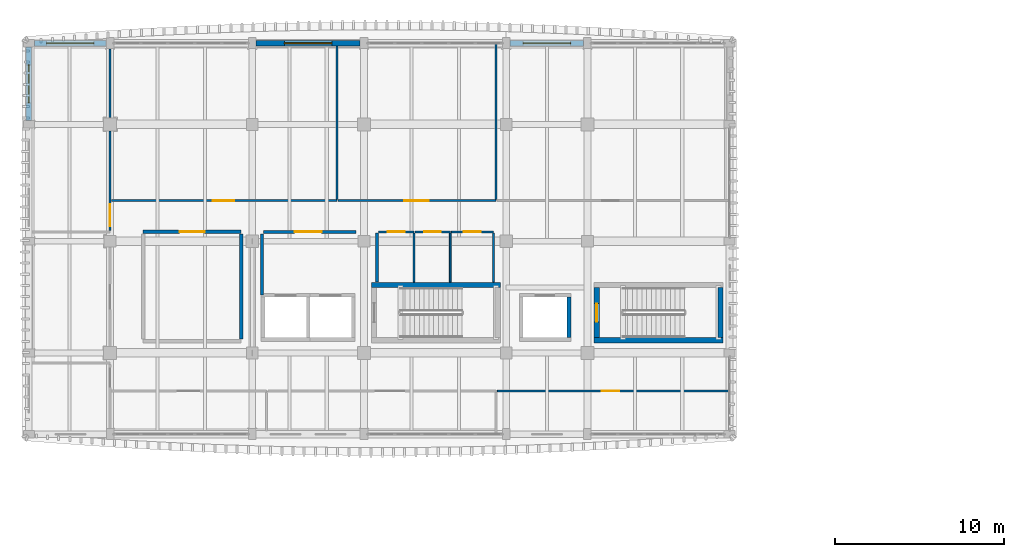
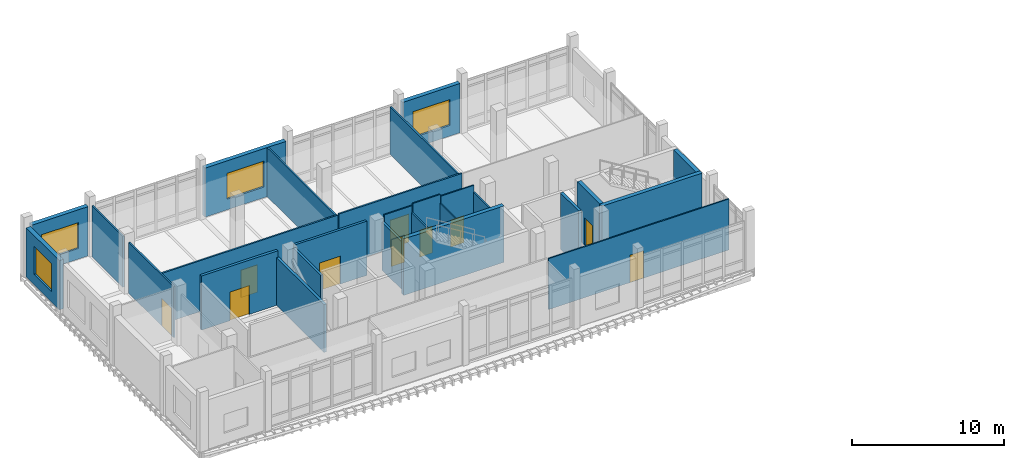
# One storey, part 21 of 37: 27 walls, 10 doors, 4 windows, 14 openings.
"""IFC4 building model written with IfcOpenShell, lengths in metres."""

from ifc_helpers import new_model, si_unit, direction, frame, frame_2d, origin, place, context, subcontext, project, spatial, rectangle, extrude, material, layer, layer_set, type_object, element, fill, save


model = new_model("IFC4")

# Units and contexts
model_context = context("Model", 3, precision=1e-05, world=origin(), true_north=direction((0.0, 1.0)))
body_context = subcontext(model_context, "Body", "Model", "MODEL_VIEW")
ifc_project = project(units=[si_unit("LENGTHUNIT", "METRE"), si_unit("AREAUNIT", "SQUARE_METRE"), si_unit("VOLUMEUNIT", "CUBIC_METRE"), si_unit("PLANEANGLEUNIT", "RADIAN"), si_unit("MASSUNIT", "GRAM", prefix="KILO")], contexts=[model_context])

# Site, building, storey
site_placement = place(None, origin())
site = spatial("IfcSite", under=ifc_project, at=site_placement, CompositionType="ELEMENT")
building_placement = place(site_placement, origin())
building = spatial("IfcBuilding", under=site, at=building_placement, Name="Dornvale Research Institute", CompositionType="ELEMENT")
storey_placement = place(building_placement, frame((0.0, 0.0, 29.39990234375)))
storey = spatial("IfcBuildingStorey", under=building, at=storey_placement, Name="L06", CompositionType="ELEMENT", Elevation=29.39990234375)

# Wall, opening, door
ifc_material_1 = material(Name="Acoustic Insulated Double-Stud Laboratory Partition")
ifc_layer_1 = layer(ifc_material_1, 0.1201171875)
ifc_layer_set_1 = layer_set([ifc_layer_1], Name="Acoustic Insulated Double-Stud Laboratory Partition")
wall_type_1 = type_object("IfcWallType", Name="Partition_Dry_120", PredefinedType="PARTITIONING", material=ifc_layer_set_1)
wall_1_placement = place(storey_placement, frame((4.800048828125, 111.02490234375, 0.0), z_axis=(0.0, 0.0, 1.0), x_axis=(0.0, 1.0, 0.0)))
wall_1 = element("IfcWall", 1, at=wall_1_placement, inside=storey, type_object=wall_type_1, Name="L06 V5 interior partition #505", PredefinedType="PARTITIONING", context=body_context, shape_type="SweptSolid", body=[
    extrude(rectangle(XDim=5.880126953125, YDim=0.1201171875, at=frame_2d((2.93994140625, 0.0))), origin(), (0.0, 0.0, 1.0), 4.080078125),
])
opening_1_placement = place(wall_1_placement, frame((0.25, 0.0, 0.0)))
opening_1 = element("IfcOpeningElement", 2, at=opening_1_placement, cuts=wall_1, Name="Opening ID-09", PredefinedType="OPENING", context=body_context, shape_type="SweptSolid", body=[
    extrude(rectangle(XDim=1.320068359375, YDim=2.199951171875, at=frame_2d((0.66015625, 1.10009765625))), frame((0.0, 0.074951171875, 0.0), z_axis=(0.0, -1.0, 0.0), x_axis=(1.0, 0.0, 0.0)), (0.0, 0.0, 1.0), 0.150146484375),
])
ifc_material_2 = material(Name="Phenolic-Faced Solid-Core Laboratory Door Assembly")
door_type_1 = type_object("IfcDoorType", Name="Door_DryLab_1320x2200", OperationType="SINGLE_SWING_LEFT", PredefinedType="DOOR", material=ifc_material_2)
door_1_placement = place(opening_1_placement, origin())
door_1 = element("IfcDoor", 3, at=door_1_placement, inside=storey, type_object=door_type_1, Name="L06 Ecological Informatics Laboratory West Alcove door #207", OperationType="SINGLE_SWING_RIGHT", OverallHeight=2.199951171875, OverallWidth=1.320068359375, PredefinedType="DOOR", context=body_context, shape_type="SweptSolid", body=[
    extrude(rectangle(XDim=1.320068359375, YDim=2.199951171875, at=frame_2d((0.66015625, 1.10009765625))), frame((0.0, 0.02490234375, 0.0), z_axis=(0.0, -1.0, 0.0), x_axis=(1.0, 0.0, 0.0)), (0.0, 0.0, 1.0), 0.050048828125),
])
fill(opening_1, door_1)

# Wall
wall_2_placement = place(storey_placement, frame((4.800048828125, 117.695068359375, 0.0), z_axis=(0.0, 0.0, 1.0), x_axis=(0.0, 1.0, 0.0)))
element("IfcWall", 4, at=wall_2_placement, inside=storey, type_object=wall_type_1, Name="L06 V5 interior partition #506", PredefinedType="PARTITIONING", context=body_context, shape_type="SweptSolid", body=[
    extrude(rectangle(XDim=4.059814453125, YDim=0.1201171875, at=frame_2d((2.02978515625, 0.0))), origin(), (0.0, 0.0, 1.0), 4.080078125),
])

# Wall, opening, door
wall_3_placement = place(storey_placement, frame((4.875, 112.800048828125, 0.0), z_axis=(0.0, 0.0, 1.0), x_axis=(1.0, 0.0, 0.0)))
wall_3 = element("IfcWall", 5, at=wall_3_placement, inside=storey, type_object=wall_type_1, Name="L06 V5 interior partition #507", PredefinedType="PARTITIONING", context=body_context, shape_type="SweptSolid", body=[
    extrude(rectangle(XDim=13.324951171875, YDim=0.1201171875, at=frame_2d((6.66259765625, 0.0))), origin(), (0.0, 0.0, 1.0), 4.080078125),
])
opening_2_placement = place(wall_3_placement, frame((5.9951171875, 0.0, 0.0)))
opening_2 = element("IfcOpeningElement", 6, at=opening_2_placement, cuts=wall_3, Name="Opening ID-10", PredefinedType="OPENING", context=body_context, shape_type="SweptSolid", body=[
    extrude(rectangle(XDim=1.260009765625, YDim=2.199951171875, at=frame_2d((0.6298828125, 1.10009765625))), frame((0.0, 0.074951171875, 0.0), z_axis=(0.0, -1.0, 0.0), x_axis=(1.0, 0.0, 0.0)), (0.0, 0.0, 1.0), 0.150146484375),
])
ifc_material_3 = material(Name="Phenolic-Faced Solid-Core Laboratory Door Assembly")
door_type_2 = type_object("IfcDoorType", Name="Door_DryLab_1260x2200", OperationType="SINGLE_SWING_LEFT", PredefinedType="DOOR", material=ifc_material_3)
door_2_placement = place(opening_2_placement, origin())
door_2 = element("IfcDoor", 7, at=door_2_placement, inside=storey, type_object=door_type_2, Name="L06 Ecological Informatics Laboratory door #208", OperationType="SINGLE_SWING_LEFT", OverallHeight=2.199951171875, OverallWidth=1.260009765625, PredefinedType="DOOR", context=body_context, shape_type="SweptSolid", body=[
    extrude(rectangle(XDim=1.260009765625, YDim=2.199951171875, at=frame_2d((0.6298828125, 1.10009765625))), frame((0.0, 0.02490234375, 0.0), z_axis=(0.0, -1.0, 0.0), x_axis=(1.0, 0.0, 0.0)), (0.0, 0.0, 1.0), 0.050048828125),
])
fill(opening_2, door_2)

# Wall
wall_4_placement = place(storey_placement, frame((18.199951171875, 112.875, 0.0), z_axis=(0.0, 0.0, 1.0), x_axis=(0.0, 1.0, 0.0)))
element("IfcWall", 8, at=wall_4_placement, inside=storey, type_object=wall_type_1, Name="L06 V5 interior partition #508", PredefinedType="PARTITIONING", context=body_context, shape_type="SweptSolid", body=[
    extrude(rectangle(XDim=9.050048828125, YDim=0.1201171875, at=frame_2d((4.52490234375, 0.0))), origin(), (0.0, 0.0, 1.0), 3.93017578125),
])

# Wall, opening, door
wall_5_placement = place(storey_placement, frame((18.27490234375, 112.800048828125, 0.0), z_axis=(0.0, 0.0, 1.0), x_axis=(1.0, 0.0, 0.0)))
wall_5 = element("IfcWall", 9, at=wall_5_placement, inside=storey, type_object=wall_type_1, Name="L06 V5 interior partition #509", PredefinedType="PARTITIONING", context=body_context, shape_type="SweptSolid", body=[
    extrude(rectangle(XDim=9.3251953125, YDim=0.1201171875, at=frame_2d((4.66259765625, 0.0))), origin(), (0.0, 0.0, 1.0), 4.130126953125),
])
opening_3_placement = place(wall_5_placement, frame((3.905029296875, 0.0, 0.0)))
opening_3 = element("IfcOpeningElement", 10, at=opening_3_placement, cuts=wall_5, Name="Opening ID-07", PredefinedType="OPENING", context=body_context, shape_type="SweptSolid", body=[
    extrude(rectangle(XDim=1.43994140625, YDim=2.25, at=frame_2d((0.719970703125, 1.125))), frame((0.0, 0.074951171875, 0.0), z_axis=(0.0, -1.0, 0.0), x_axis=(1.0, 0.0, 0.0)), (0.0, 0.0, 1.0), 0.150146484375),
])
ifc_material_4 = material(Name="Insulated Fire-Rated Hollow Metal Door Assembly")
door_type_3 = type_object("IfcDoorType", Name="Door_DryLab_1440x2250", OperationType="SINGLE_SWING_LEFT", PredefinedType="DOOR", material=ifc_material_4)
door_3_placement = place(opening_3_placement, origin())
door_3 = element("IfcDoor", 11, at=door_3_placement, inside=storey, type_object=door_type_3, Name="L06 Quantum Chemistry Simulation Lab door #209", OperationType="SINGLE_SWING_RIGHT", OverallHeight=2.25, OverallWidth=1.43994140625, PredefinedType="DOOR", context=body_context, shape_type="SweptSolid", body=[
    extrude(rectangle(XDim=1.43994140625, YDim=2.25, at=frame_2d((0.719970703125, 1.125))), frame((0.0, 0.02490234375, 0.0), z_axis=(0.0, -1.0, 0.0), x_axis=(1.0, 0.0, 0.0)), (0.0, 0.0, 1.0), 0.050048828125),
])
fill(opening_3, door_3)

# Wall
wall_6_placement = place(storey_placement, frame((27.60009765625, 112.875, 0.0), z_axis=(0.0, 0.0, 1.0), x_axis=(0.0, 1.0, 0.0)))
element("IfcWall", 12, at=wall_6_placement, inside=storey, type_object=wall_type_1, Name="L06 V5 interior partition #510", PredefinedType="PARTITIONING", context=body_context, shape_type="SweptSolid", body=[
    extrude(rectangle(XDim=9.18505859375, YDim=0.1201171875, at=frame_2d((4.592529296875, 0.0))), origin(), (0.0, 0.0, 1.0), 3.830078125),
])

# Wall, opening, door
ifc_material_5 = material(Name="Fire-Rated Gypsum Board on Cold-Formed Steel Studs", Category="steel")
ifc_layer_2 = layer(ifc_material_5, 0.179931640625)
ifc_layer_set_2 = layer_set([ifc_layer_2], Name="Fire-Rated Gypsum Board on Cold-Formed Steel Studs")
wall_type_2 = type_object("IfcWallType", Name="Partition_FireLobby_180", PredefinedType="PARTITIONING", material=ifc_layer_set_2)
wall_7_placement = place(storey_placement, frame((13.85009765625, 110.949951171875, 0.0), z_axis=(0.0, 0.0, 1.0), x_axis=(1.0, 0.0, 0.0)))
wall_7 = element("IfcWall", 13, at=wall_7_placement, inside=storey, type_object=wall_type_2, Name="L06 Fire Service Access Elevator Lobby north rated partition", PredefinedType="PARTITIONING", context=body_context, shape_type="SweptSolid", body=[
    extrude(rectangle(XDim=5.469970703125, YDim=0.179931640625, at=frame_2d((2.73486328125, 0.0))), origin(), (0.0, 0.0, 1.0), 4.34521484375),
])
opening_4_placement = place(wall_7_placement, frame((1.85009765625, 0.0, 0.0)))
opening_4 = element("IfcOpeningElement", 14, at=opening_4_placement, cuts=wall_7, Name="Opening FD-01", PredefinedType="OPENING", context=body_context, shape_type="SweptSolid", body=[
    extrude(rectangle(XDim=1.60009765625, YDim=2.25, at=frame_2d((0.800048828125, 1.125))), frame((0.0, 0.10498046875, 0.0), z_axis=(0.0, -1.0, 0.0), x_axis=(1.0, 0.0, 0.0)), (0.0, 0.0, 1.0), 0.2099609375),
])
ifc_material_6 = material(Name="Insulated Fire-Rated Hollow Metal Door Assembly")
door_type_4 = type_object("IfcDoorType", Name="Door_FireLobby_1600x2250", OperationType="SINGLE_SWING_LEFT", PredefinedType="DOOR", material=ifc_material_6)
door_4_placement = place(opening_4_placement, origin())
door_4 = element("IfcDoor", 15, at=door_4_placement, inside=storey, type_object=door_type_4, Name="L06 Fire Service Access Elevator Lobby door", OperationType="DOUBLE_DOOR_SINGLE_SWING", OverallHeight=2.25, OverallWidth=1.60009765625, PredefinedType="DOOR", context=body_context, shape_type="SweptSolid", body=[
    extrude(rectangle(XDim=1.60009765625, YDim=2.25, at=frame_2d((0.800048828125, 1.125))), frame((0.0, 0.02490234375, 0.0), z_axis=(0.0, -1.0, 0.0), x_axis=(1.0, 0.0, 0.0)), (0.0, 0.0, 1.0), 0.050048828125),
])
fill(opening_4, door_4)

# Walls
wall_8_placement = place(storey_placement, frame((13.780029296875, 107.22998046875, 0.0), z_axis=(0.0, 0.0, 1.0), x_axis=(0.0, 1.0, 0.0)))
element("IfcWall", 16, at=wall_8_placement, inside=storey, type_object=wall_type_2, Name="L06 Fire Service Access Elevator Lobby west rated partition", PredefinedType="PARTITIONING", context=body_context, shape_type="SweptSolid", body=[
    extrude(rectangle(XDim=3.610107421875, YDim=0.179931640625, at=frame_2d((1.80517578125, 0.0))), origin(), (0.0, 0.0, 1.0), 4.18017578125),
])
wall_9_placement = place(storey_placement, frame((20.56005859375, 107.97998046875, 0.0), z_axis=(0.0, 0.0, 1.0), x_axis=(0.0, 1.0, 0.0)))
element("IfcWall", 17, at=wall_9_placement, inside=storey, type_object=wall_type_2, Name="L06 Fire Service Access Elevator Lobby east rated partition", PredefinedType="PARTITIONING", context=body_context, shape_type="SweptSolid", body=[
    extrude(rectangle(XDim=2.909912109375, YDim=0.179931640625, at=frame_2d((1.455078125, 0.0))), origin(), (0.0, 0.0, 1.0), 3.830078125),
])

# Wall, opening, door
ifc_material_7 = material(Name="Fire-Rated Gypsum Board on Cold-Formed Steel Studs", Category="steel")
ifc_layer_3 = layer(ifc_material_7, 0.199951171875)
ifc_layer_set_3 = layer_set([ifc_layer_3], Name="Fire-Rated Gypsum Board on Cold-Formed Steel Studs")
wall_type_3 = type_object("IfcWallType", Name="Partition_FireWall_200", PredefinedType="PARTITIONING", material=ifc_layer_set_3)
wall_10_placement = place(storey_placement, frame((6.75, 110.949951171875, 0.0), z_axis=(0.0, 0.0, 1.0), x_axis=(1.0, 0.0, 0.0)))
wall_10 = element("IfcWall", 18, at=wall_10_placement, inside=storey, type_object=wall_type_3, Name="L06 V5 interior partition #499", PredefinedType="PARTITIONING", context=body_context, shape_type="SweptSolid", body=[
    extrude(rectangle(XDim=5.800048828125, YDim=0.199951171875, at=frame_2d((2.89990234375, 0.0))), origin(), (0.0, 0.0, 1.0), 4.34521484375),
])
opening_5_placement = place(wall_10_placement, frame((2.159912109375, 0.0, 0.0)))
opening_5 = element("IfcOpeningElement", 19, at=opening_5_placement, cuts=wall_10, Name="Opening ID-13", PredefinedType="OPENING", context=body_context, shape_type="SweptSolid", body=[
    extrude(rectangle(XDim=1.47998046875, YDim=2.300048828125, at=frame_2d((0.739990234375, 1.14990234375))), frame((0.0, 0.114990234375, 0.0), z_axis=(0.0, -1.0, 0.0), x_axis=(1.0, 0.0, 0.0)), (0.0, 0.0, 1.0), 0.22998046875),
])
ifc_material_8 = material(Name="Insulated Fire-Rated Hollow Metal Door Assembly")
door_type_5 = type_object("IfcDoorType", Name="Door_Archive_1480x2300", OperationType="SINGLE_SWING_LEFT", PredefinedType="DOOR", material=ifc_material_8)
door_5_placement = place(opening_5_placement, origin())
door_5 = element("IfcDoor", 20, at=door_5_placement, inside=storey, type_object=door_type_5, Name="L06 Ecological Reference Herbarium L06 door #205", OperationType="SINGLE_SWING_RIGHT", OverallHeight=2.300048828125, OverallWidth=1.47998046875, PredefinedType="DOOR", context=body_context, shape_type="SweptSolid", body=[
    extrude(rectangle(XDim=1.47998046875, YDim=2.300048828125, at=frame_2d((0.739990234375, 1.14990234375))), frame((0.0, 0.02490234375, 0.0), z_axis=(0.0, -1.0, 0.0), x_axis=(1.0, 0.0, 0.0)), (0.0, 0.0, 1.0), 0.050048828125),
])
fill(opening_5, door_5)

# Wall
wall_11_placement = place(storey_placement, frame((12.550048828125, 104.614990234375, 0.0), z_axis=(0.0, 0.0, 1.0), x_axis=(0.0, 1.0, 0.0)))
element("IfcWall", 21, at=wall_11_placement, inside=storey, type_object=wall_type_3, Name="L06 V5 interior partition #501", PredefinedType="PARTITIONING", context=body_context, shape_type="SweptSolid", body=[
    extrude(rectangle(XDim=6.219970703125, YDim=0.199951171875, at=frame_2d((3.10986328125, 0.0))), origin(), (0.0, 0.0, 1.0), 3.830078125),
])

# Wall, opening, door
ifc_material_9 = material(Name="Acoustic Insulated Double-Stud Laboratory Partition")
ifc_layer_4 = layer(ifc_material_9, 0.10009765625)
ifc_layer_set_4 = layer_set([ifc_layer_4], Name="Acoustic Insulated Double-Stud Laboratory Partition")
wall_type_4 = type_object("IfcWallType", Name="Partition_Office_100", PredefinedType="PARTITIONING", material=ifc_layer_set_4)
wall_12_placement = place(storey_placement, frame((20.6650390625, 110.949951171875, 0.0), z_axis=(0.0, 0.0, 1.0), x_axis=(1.0, 0.0, 0.0)))
wall_12 = element("IfcWall", 22, at=wall_12_placement, inside=storey, type_object=wall_type_4, Name="L06 V5 interior partition #492", PredefinedType="PARTITIONING", context=body_context, shape_type="SweptSolid", body=[
    extrude(rectangle(XDim=2.0849609375, YDim=0.10009765625, at=frame_2d((1.04248046875, 0.0))), origin(), (0.0, 0.0, 1.0), 4.34521484375),
])
opening_6_placement = place(wall_12_placement, frame((0.534912109375, 0.0, 0.0)))
opening_6 = element("IfcOpeningElement", 23, at=opening_6_placement, cuts=wall_12, Name="Opening ID-24", PredefinedType="OPENING", context=body_context, shape_type="SweptSolid", body=[
    extrude(rectangle(XDim=1.0, YDim=2.14990234375, at=frame_2d((0.5, 1.074951171875))), frame((0.0, 0.06494140625, 0.0), z_axis=(0.0, -1.0, 0.0), x_axis=(1.0, 0.0, 0.0)), (0.0, 0.0, 1.0), 0.130126953125),
])
ifc_material_10 = material(Name="Phenolic-Faced Solid-Core Laboratory Door Assembly")
door_type_6 = type_object("IfcDoorType", Name="Door_AccWC_1000x2150", OperationType="SINGLE_SWING_LEFT", PredefinedType="DOOR", material=ifc_material_10)
door_6_placement = place(opening_6_placement, origin())
door_6 = element("IfcDoor", 24, at=door_6_placement, inside=storey, type_object=door_type_6, Name="L06 Male Restroom L06 door #202", OperationType="SINGLE_SWING_LEFT", OverallHeight=2.14990234375, OverallWidth=1.0, PredefinedType="DOOR", context=body_context, shape_type="SweptSolid", body=[
    extrude(rectangle(XDim=1.0, YDim=2.14990234375, at=frame_2d((0.5, 1.074951171875))), frame((0.0, 0.02490234375, 0.0), z_axis=(0.0, -1.0, 0.0), x_axis=(1.0, 0.0, 0.0)), (0.0, 0.0, 1.0), 0.050048828125),
])
fill(opening_6, door_6)

# Wall
wall_13_placement = place(storey_placement, frame((22.75, 107.97998046875, 0.0), z_axis=(0.0, 0.0, 1.0), x_axis=(0.0, 1.0, 0.0)))
element("IfcWall", 25, at=wall_13_placement, inside=storey, type_object=wall_type_4, Name="L06 V5 interior partition #493", PredefinedType="PARTITIONING", context=body_context, shape_type="SweptSolid", body=[
    extrude(rectangle(XDim=2.905029296875, YDim=0.10009765625, at=frame_2d((1.45263671875, 0.0))), origin(), (0.0, 0.0, 1.0), 3.830078125),
])

# Wall, opening, door
wall_14_placement = place(storey_placement, frame((22.81494140625, 110.949951171875, 0.0), z_axis=(0.0, 0.0, 1.0), x_axis=(1.0, 0.0, 0.0)))
wall_14 = element("IfcWall", 26, at=wall_14_placement, inside=storey, type_object=wall_type_4, Name="L06 V5 interior partition #494", PredefinedType="PARTITIONING", context=body_context, shape_type="SweptSolid", body=[
    extrude(rectangle(XDim=2.0849609375, YDim=0.10009765625, at=frame_2d((1.04248046875, 0.0))), origin(), (0.0, 0.0, 1.0), 4.5),
])
opening_7_placement = place(wall_14_placement, frame((0.56005859375, 0.0, 0.0)))
opening_7 = element("IfcOpeningElement", 27, at=opening_7_placement, cuts=wall_14, Name="Opening ID-23", PredefinedType="OPENING", context=body_context, shape_type="SweptSolid", body=[
    extrude(rectangle(XDim=0.949951171875, YDim=2.14990234375, at=frame_2d((0.47509765625, 1.074951171875))), frame((0.0, 0.06494140625, 0.0), z_axis=(0.0, -1.0, 0.0), x_axis=(1.0, 0.0, 0.0)), (0.0, 0.0, 1.0), 0.130126953125),
])
ifc_material_11 = material(Name="Phenolic-Faced Solid-Core Laboratory Door Assembly")
door_type_7 = type_object("IfcDoorType", Name="Door_WC_950x2150", OperationType="SINGLE_SWING_LEFT", PredefinedType="DOOR", material=ifc_material_11)
door_7_placement = place(opening_7_placement, origin())
door_7 = element("IfcDoor", 28, at=door_7_placement, inside=storey, type_object=door_type_7, Name="L06 Female Restroom L06 door #203", OperationType="SINGLE_SWING_RIGHT", OverallHeight=2.14990234375, OverallWidth=0.949951171875, PredefinedType="DOOR", context=body_context, shape_type="SweptSolid", body=[
    extrude(rectangle(XDim=0.949951171875, YDim=2.14990234375, at=frame_2d((0.47509765625, 1.074951171875))), frame((0.0, 0.02490234375, 0.0), z_axis=(0.0, -1.0, 0.0), x_axis=(1.0, 0.0, 0.0)), (0.0, 0.0, 1.0), 0.050048828125),
])
fill(opening_7, door_7)

# Wall
wall_15_placement = place(storey_placement, frame((24.89990234375, 107.97998046875, 0.0), z_axis=(0.0, 0.0, 1.0), x_axis=(0.0, 1.0, 0.0)))
element("IfcWall", 29, at=wall_15_placement, inside=storey, type_object=wall_type_4, Name="L06 V5 interior partition #495", PredefinedType="PARTITIONING", context=body_context, shape_type="SweptSolid", body=[
    extrude(rectangle(XDim=2.905029296875, YDim=0.10009765625, at=frame_2d((1.45263671875, 0.0))), origin(), (0.0, 0.0, 1.0), 3.830078125),
])

# Wall, opening, door
wall_16_placement = place(storey_placement, frame((24.965087890625, 110.949951171875, 0.0), z_axis=(0.0, 0.0, 1.0), x_axis=(1.0, 0.0, 0.0)))
wall_16 = element("IfcWall", 30, at=wall_16_placement, inside=storey, type_object=wall_type_4, Name="L06 V5 interior partition #496", PredefinedType="PARTITIONING", context=body_context, shape_type="SweptSolid", body=[
    extrude(rectangle(XDim=2.48486328125, YDim=0.10009765625, at=frame_2d((1.242431640625, 0.0))), origin(), (0.0, 0.0, 1.0), 4.34521484375),
])
opening_8_placement = place(wall_16_placement, frame((0.735107421875, 0.0, 0.0)))
opening_8 = element("IfcOpeningElement", 31, at=opening_8_placement, cuts=wall_16, Name="Opening ID-24", PredefinedType="OPENING", context=body_context, shape_type="SweptSolid", body=[
    extrude(rectangle(XDim=1.0, YDim=2.14990234375, at=frame_2d((0.5, 1.074951171875))), frame((0.0, 0.06494140625, 0.0), z_axis=(0.0, -1.0, 0.0), x_axis=(1.0, 0.0, 0.0)), (0.0, 0.0, 1.0), 0.130126953125),
])
door_8_placement = place(opening_8_placement, origin())
door_8 = element("IfcDoor", 32, at=door_8_placement, inside=storey, type_object=door_type_6, Name="L06 Accessible Restroom L06 door #204", OperationType="SINGLE_SWING_LEFT", OverallHeight=2.14990234375, OverallWidth=1.0, PredefinedType="DOOR", context=body_context, shape_type="SweptSolid", body=[
    extrude(rectangle(XDim=1.0, YDim=2.14990234375, at=frame_2d((0.5, 1.074951171875))), frame((0.0, 0.02490234375, 0.0), z_axis=(0.0, -1.0, 0.0), x_axis=(1.0, 0.0, 0.0)), (0.0, 0.0, 1.0), 0.050048828125),
])
fill(opening_8, door_8)

# Wall
wall_17_placement = place(storey_placement, frame((27.449951171875, 107.97998046875, 0.0), z_axis=(0.0, 0.0, 1.0), x_axis=(0.0, 1.0, 0.0)))
element("IfcWall", 33, at=wall_17_placement, inside=storey, type_object=wall_type_4, Name="L06 V5 interior partition #497", PredefinedType="PARTITIONING", context=body_context, shape_type="SweptSolid", body=[
    extrude(rectangle(XDim=2.905029296875, YDim=0.10009765625, at=frame_2d((1.45263671875, 0.0))), origin(), (0.0, 0.0, 1.0), 3.830078125),
])

# Wall, opening, door
wall_18_placement = place(storey_placement, frame((27.675048828125, 101.550048828125, 0.0), z_axis=(0.0, 0.0, 1.0), x_axis=(1.0, 0.0, 0.0)))
wall_18 = element("IfcWall", 34, at=wall_18_placement, inside=storey, type_object=wall_type_4, Name="L06 V5 interior partition #517", PredefinedType="PARTITIONING", context=body_context, shape_type="SweptSolid", body=[
    extrude(rectangle(XDim=13.68505859375, YDim=0.10009765625, at=frame_2d((6.842529296875, 0.0))), origin(), (0.0, 0.0, 1.0), 4.080078125),
])
opening_9_placement = place(wall_18_placement, frame((6.175048828125, 0.0, 0.0)))
opening_9 = element("IfcOpeningElement", 35, at=opening_9_placement, cuts=wall_18, Name="Opening ID-20", PredefinedType="OPENING", context=body_context, shape_type="SweptSolid", body=[
    extrude(rectangle(XDim=1.02001953125, YDim=2.199951171875, at=frame_2d((0.510009765625, 1.10009765625))), frame((0.0, 0.06494140625, 0.0), z_axis=(0.0, -1.0, 0.0), x_axis=(1.0, 0.0, 0.0)), (0.0, 0.0, 1.0), 0.130126953125),
])
ifc_material_12 = material(Name="Phenolic-Faced Solid-Core Laboratory Door Assembly")
door_type_8 = type_object("IfcDoorType", Name="Door_WriteUp_1020x2200", OperationType="SINGLE_SWING_LEFT", PredefinedType="DOOR", material=ifc_material_12)
door_9_placement = place(opening_9_placement, origin())
door_9 = element("IfcDoor", 36, at=door_9_placement, inside=storey, type_object=door_type_8, Name="L06 Researcher Write-Up Studio L06 door #214", OperationType="SINGLE_SWING_LEFT", OverallHeight=2.199951171875, OverallWidth=1.02001953125, PredefinedType="DOOR", context=body_context, shape_type="SweptSolid", body=[
    extrude(rectangle(XDim=1.02001953125, YDim=2.199951171875, at=frame_2d((0.510009765625, 1.10009765625))), frame((0.0, 0.02490234375, 0.0), z_axis=(0.0, -1.0, 0.0), x_axis=(1.0, 0.0, 0.0)), (0.0, 0.0, 1.0), 0.050048828125),
])
fill(opening_9, door_9)

# Walls
ifc_material_13 = material(Name="Concrete f'c 50 MPa (C40/50)", Category="concrete")
ifc_layer_5 = layer(ifc_material_13, 0.300048828125)
ifc_layer_set_5 = layer_set([ifc_layer_5], Name="Concrete f'c 50 MPa (C40/50)")
wall_type_5 = type_object("IfcWallType", Name="ShearWall_Core_300", PredefinedType="SHEAR", material=ifc_layer_set_5)
for number, where, z_axis, x_axis, name in (
    (37, (20.25, 107.81005859375, 0.0), (0.0, 0.0, 1.0), (1.0, 0.0, 0.0), "L06 ST-1 shaft shear wall north"),
    (38, (33.39990234375, 104.550048828125, 0.0), (0.0, 0.0, 1.0), (1.0, 0.0, 0.0), "L06 ST-2 shaft shear wall south"),
):
    element("IfcWall", number, at=place(storey_placement, frame(where, z_axis=z_axis, x_axis=x_axis)), inside=storey, type_object=wall_type_5, Name=name, PredefinedType="SHEAR", context=body_context, shape_type="SweptSolid", body=[
        extrude(rectangle(XDim=7.60009765625, YDim=0.300048828125, at=frame_2d((3.800048828125, 0.0))), origin(), (0.0, 0.0, 1.0), 4.52001953125),
    ])

# Wall, opening, door
wall_19_placement = place(storey_placement, frame((33.550048828125, 104.699951171875, 0.0), z_axis=(0.0, 0.0, 1.0), x_axis=(0.0, 1.0, 0.0)))
wall_19 = element("IfcWall", 39, at=wall_19_placement, inside=storey, type_object=wall_type_5, Name="L06 ST-2 shaft shear wall west", PredefinedType="SHEAR", context=body_context, shape_type="SweptSolid", body=[
    extrude(rectangle(XDim=2.9599609375, YDim=0.300048828125, at=frame_2d((1.47998046875, 0.0))), origin(), (0.0, 0.0, 1.0), 4.52001953125),
])
opening_10_placement = place(wall_19_placement, frame((0.93994140625, 0.0, 0.0)))
opening_10 = element("IfcOpeningElement", 40, at=opening_10_placement, cuts=wall_19, Name="Opening SD-02", PredefinedType="OPENING", context=body_context, shape_type="SweptSolid", body=[
    extrude(rectangle(XDim=1.080078125, YDim=2.199951171875, at=frame_2d((0.5400390625, 1.10009765625))), frame((0.0, 0.1650390625, 0.0), z_axis=(0.0, -1.0, 0.0), x_axis=(1.0, 0.0, 0.0)), (0.0, 0.0, 1.0), 0.330078125),
])
ifc_material_14 = material(Name="Insulated Fire-Rated Hollow Metal Door Assembly")
door_type_9 = type_object("IfcDoorType", Name="Door_Stair_1080x2200", OperationType="SINGLE_SWING_LEFT", PredefinedType="DOOR", material=ifc_material_14)
door_10_placement = place(opening_10_placement, origin())
door_10 = element("IfcDoor", 41, at=door_10_placement, inside=storey, type_object=door_type_9, Name="L06 ST-2 exit stair door #20", OperationType="SINGLE_SWING_LEFT", OverallHeight=2.199951171875, OverallWidth=1.080078125, PredefinedType="DOOR", context=body_context, shape_type="SweptSolid", body=[
    extrude(rectangle(XDim=1.080078125, YDim=2.199951171875, at=frame_2d((0.5400390625, 1.10009765625))), frame((0.0, 0.02490234375, 0.0), z_axis=(0.0, -1.0, 0.0), x_axis=(1.0, 0.0, 0.0)), (0.0, 0.0, 1.0), 0.050048828125),
])
fill(opening_10, door_10)

# Walls
wall_20_placement = place(storey_placement, frame((40.85009765625, 104.699951171875, 0.0), z_axis=(0.0, 0.0, 1.0), x_axis=(0.0, 1.0, 0.0)))
element("IfcWall", 42, at=wall_20_placement, inside=storey, type_object=wall_type_5, Name="L06 ST-2 shaft shear wall east", PredefinedType="SHEAR", context=body_context, shape_type="SweptSolid", body=[
    extrude(rectangle(XDim=2.9599609375, YDim=0.300048828125, at=frame_2d((1.47998046875, 0.0))), origin(), (0.0, 0.0, 1.0), 4.52001953125),
])
ifc_material_15 = material(Name="Concrete f'c 45 MPa (C35/45)", Category="concrete")
ifc_layer_6 = layer(ifc_material_15, 0.219970703125)
ifc_layer_set_6 = layer_set([ifc_layer_6], Name="Concrete f'c 45 MPa (C35/45)")
wall_type_6 = type_object("IfcWallType", Name="ShearWall_Shaft_220", PredefinedType="SHEAR", material=ifc_layer_set_6)
wall_21_placement = place(storey_placement, frame((31.909912109375, 104.699951171875, 0.0), z_axis=(0.0, 0.0, 1.0), x_axis=(0.0, 1.0, 0.0)))
element("IfcWall", 43, at=wall_21_placement, inside=storey, type_object=wall_type_6, Name="L06 LP1 elevator shaft wall east", PredefinedType="SHEAR", context=body_context, shape_type="SweptSolid", body=[
    extrude(rectangle(XDim=2.400146484375, YDim=0.219970703125, at=frame_2d((1.2001953125, 0.0))), origin(), (0.0, 0.0, 1.0), 4.52001953125),
])

# Wall, opening, window
ifc_material_16 = material(Name="Catalan Pressed Brick and Insulated Cavity Assembly", Category="masonry")
ifc_layer_7 = layer(ifc_material_16, 0.320068359375)
ifc_layer_set_7 = layer_set([ifc_layer_7], Name="Catalan Pressed Brick and Insulated Cavity Assembly")
wall_type_7 = type_object("IfcWallType", Name="StandardWall_BrickCavity_320", PredefinedType="STANDARD", material=ifc_layer_set_7)
wall_22_placement = place(storey_placement, frame((0.0, 117.52490234375, 0.0), z_axis=(0.0, 0.0, 1.0), x_axis=(0.0, 1.0, 0.0)))
wall_22 = element("IfcWall", 44, at=wall_22_placement, inside=storey, type_object=wall_type_7, Name="L06 V5 west exterior wall #372", PredefinedType="STANDARD", context=body_context, shape_type="SweptSolid", body=[
    extrude(rectangle(XDim=4.35009765625, YDim=0.320068359375, at=frame_2d((2.175048828125, 0.0))), origin(), (0.0, 0.0, 1.0), 3.9501953125),
])
opening_11_placement = place(wall_22_placement, frame((1.050048828125, 0.0, 0.85009765625)))
opening_11 = element("IfcOpeningElement", 45, at=opening_11_placement, cuts=wall_22, Name="Opening W-44", PredefinedType="OPENING", context=body_context, shape_type="SweptSolid", body=[
    extrude(rectangle(XDim=2.25, YDim=2.239990234375, at=frame_2d((1.125, 1.1201171875))), frame((0.0, 0.175048828125, 0.0), z_axis=(0.0, -1.0, 0.0), x_axis=(1.0, 0.0, 0.0)), (0.0, 0.0, 1.0), 0.35009765625),
])
ifc_material_17 = material(Name="Low-E Argon Double Insulating Glazing Unit", Category="glass")
window_type_1 = type_object("IfcWindowType", Name="Window_Alu_2250x2240_44", PartitioningType="DOUBLE_PANEL_VERTICAL", PredefinedType="WINDOW", material=ifc_material_17)
window_1_placement = place(opening_11_placement, origin())
window_1 = element("IfcWindow", 46, at=window_1_placement, inside=storey, type_object=window_type_1, Name="L06 V5 facade window W-44 #496", OverallHeight=2.239990234375, OverallWidth=2.25, PartitioningType="DOUBLE_PANEL_VERTICAL", PredefinedType="WINDOW", context=body_context, shape_type="SweptSolid", body=[
    extrude(rectangle(XDim=2.25, YDim=2.239990234375, at=frame_2d((1.125, 1.1201171875))), frame((0.0, 0.030029296875, 0.0), z_axis=(0.0, -1.0, 0.0), x_axis=(1.0, 0.0, 0.0)), (0.0, 0.0, 1.0), 0.06005859375),
])
fill(opening_11, window_1)

wall_23_placement = place(storey_placement, frame((0.324951171875, 122.10009765625, 0.0), z_axis=(0.0, 0.0, 1.0), x_axis=(1.0, 0.0, 0.0)))
wall_23 = element("IfcWall", 47, at=wall_23_placement, inside=storey, type_object=wall_type_7, Name="L06 V5 north exterior wall #373", PredefinedType="STANDARD", context=body_context, shape_type="SweptSolid", body=[
    extrude(rectangle(XDim=4.25, YDim=0.320068359375, at=frame_2d((2.125, 0.0))), origin(), (0.0, 0.0, 1.0), 3.9501953125),
])
opening_12_placement = place(wall_23_placement, frame((0.72509765625, 0.0, 0.85009765625)))
opening_12 = element("IfcOpeningElement", 48, at=opening_12_placement, cuts=wall_23, Name="Opening W-47", PredefinedType="OPENING", context=body_context, shape_type="SweptSolid", body=[
    extrude(rectangle(XDim=2.800048828125, YDim=2.080078125, at=frame_2d((1.39990234375, 1.0400390625))), frame((0.0, 0.175048828125, 0.0), z_axis=(0.0, -1.0, 0.0), x_axis=(1.0, 0.0, 0.0)), (0.0, 0.0, 1.0), 0.35009765625),
])
ifc_material_18 = material(Name="Low-E Argon Double Insulating Glazing Unit", Category="glass")
window_type_2 = type_object("IfcWindowType", Name="Window_Alu_2800x2080_47", PartitioningType="DOUBLE_PANEL_VERTICAL", PredefinedType="WINDOW", material=ifc_material_18)
window_2_placement = place(opening_12_placement, origin())
window_2 = element("IfcWindow", 49, at=window_2_placement, inside=storey, type_object=window_type_2, Name="L06 V5 facade window W-47 #497", OverallHeight=2.080078125, OverallWidth=2.800048828125, PartitioningType="DOUBLE_PANEL_VERTICAL", PredefinedType="WINDOW", context=body_context, shape_type="SweptSolid", body=[
    extrude(rectangle(XDim=2.800048828125, YDim=2.080078125, at=frame_2d((1.39990234375, 1.0400390625))), frame((0.0, 0.030029296875, 0.0), z_axis=(0.0, -1.0, 0.0), x_axis=(1.0, 0.0, 0.0)), (0.0, 0.0, 1.0), 0.06005859375),
])
fill(opening_12, window_2)

wall_24_placement = place(storey_placement, frame((13.425048828125, 122.10009765625, 0.0), z_axis=(0.0, 0.0, 1.0), x_axis=(1.0, 0.0, 0.0)))
wall_24 = element("IfcWall", 50, at=wall_24_placement, inside=storey, type_object=wall_type_7, Name="L06 V5 north exterior wall #374", PredefinedType="STANDARD", context=body_context, shape_type="SweptSolid", body=[
    extrude(rectangle(XDim=6.14990234375, YDim=0.320068359375, at=frame_2d((3.074951171875, 0.0))), origin(), (0.0, 0.0, 1.0), 3.93017578125),
])
opening_13_placement = place(wall_24_placement, frame((1.675048828125, 0.0, 0.85009765625)))
opening_13 = element("IfcOpeningElement", 51, at=opening_13_placement, cuts=wall_24, Name="Opening W-47", PredefinedType="OPENING", context=body_context, shape_type="SweptSolid", body=[
    extrude(rectangle(XDim=2.800048828125, YDim=2.080078125, at=frame_2d((1.39990234375, 1.0400390625))), frame((0.0, 0.175048828125, 0.0), z_axis=(0.0, -1.0, 0.0), x_axis=(1.0, 0.0, 0.0)), (0.0, 0.0, 1.0), 0.35009765625),
])
window_3_placement = place(opening_13_placement, origin())
window_3 = element("IfcWindow", 52, at=window_3_placement, inside=storey, type_object=window_type_2, Name="L06 V5 facade window W-47 #498", OverallHeight=2.080078125, OverallWidth=2.800048828125, PartitioningType="DOUBLE_PANEL_VERTICAL", PredefinedType="WINDOW", context=body_context, shape_type="SweptSolid", body=[
    extrude(rectangle(XDim=2.800048828125, YDim=2.080078125, at=frame_2d((1.39990234375, 1.0400390625))), frame((0.0, 0.030029296875, 0.0), z_axis=(0.0, -1.0, 0.0), x_axis=(1.0, 0.0, 0.0)), (0.0, 0.0, 1.0), 0.06005859375),
])
fill(opening_13, window_3)

wall_25_placement = place(storey_placement, frame((28.425048828125, 122.10009765625, 0.0), z_axis=(0.0, 0.0, 1.0), x_axis=(1.0, 0.0, 0.0)))
wall_25 = element("IfcWall", 53, at=wall_25_placement, inside=storey, type_object=wall_type_7, Name="L06 V5 north exterior wall #375", PredefinedType="STANDARD", context=body_context, shape_type="SweptSolid", body=[
    extrude(rectangle(XDim=4.349853515625, YDim=0.320068359375, at=frame_2d((2.1748046875, 0.0))), origin(), (0.0, 0.0, 1.0), 3.9501953125),
])
opening_14_placement = place(wall_25_placement, frame((0.77490234375, 0.0, 0.85009765625)))
opening_14 = element("IfcOpeningElement", 54, at=opening_14_placement, cuts=wall_25, Name="Opening W-47", PredefinedType="OPENING", context=body_context, shape_type="SweptSolid", body=[
    extrude(rectangle(XDim=2.800048828125, YDim=2.080078125, at=frame_2d((1.39990234375, 1.0400390625))), frame((0.0, 0.175048828125, 0.0), z_axis=(0.0, -1.0, 0.0), x_axis=(1.0, 0.0, 0.0)), (0.0, 0.0, 1.0), 0.35009765625),
])
window_4_placement = place(opening_14_placement, origin())
window_4 = element("IfcWindow", 55, at=window_4_placement, inside=storey, type_object=window_type_2, Name="L06 V5 facade window W-47 #499", OverallHeight=2.080078125, OverallWidth=2.800048828125, PartitioningType="DOUBLE_PANEL_VERTICAL", PredefinedType="WINDOW", context=body_context, shape_type="SweptSolid", body=[
    extrude(rectangle(XDim=2.800048828125, YDim=2.080078125, at=frame_2d((1.39990234375, 1.0400390625))), frame((0.0, 0.030029296875, 0.0), z_axis=(0.0, -1.0, 0.0), x_axis=(1.0, 0.0, 0.0)), (0.0, 0.0, 1.0), 0.06005859375),
])
fill(opening_14, window_4)

save(model, "model.ifc")
